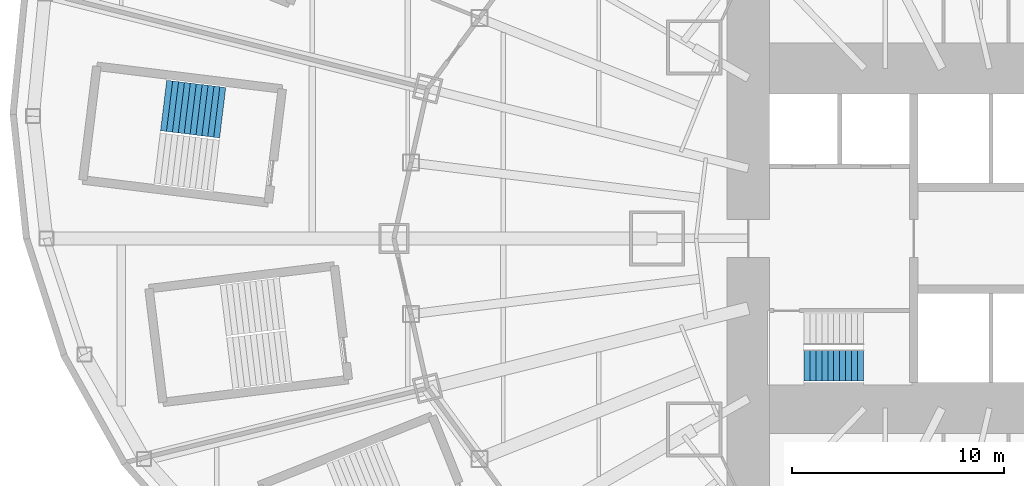
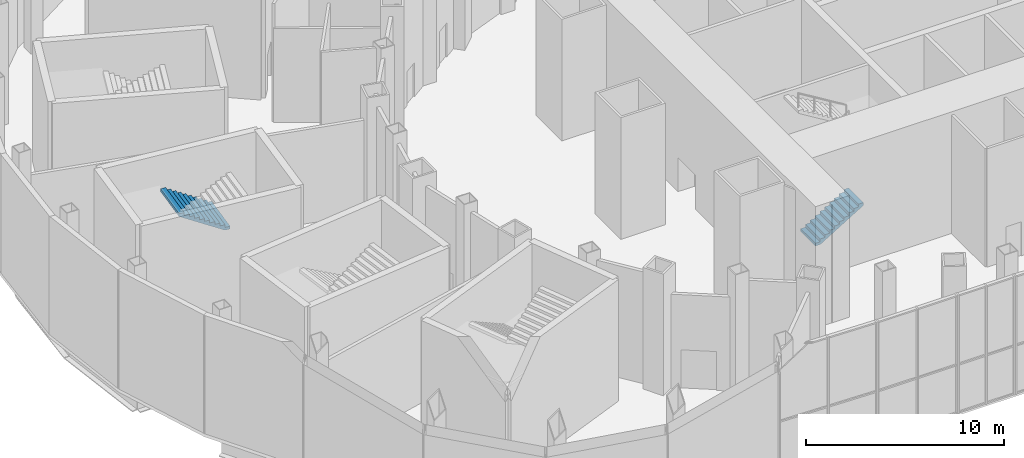
# One storey, part 29 of 73: 2 stair flights, 2 elements without a shape of their own.
"""IFC4 building model written with IfcOpenShell, lengths in metres."""

from ifc_helpers import new_model, si_unit, direction, frame, origin, place, context, subcontext, project, spatial, triangles, material, type_object, element, aggregate, save


model = new_model("IFC4")

# Units and contexts
model_context = context("Model", 3, precision=1e-05, world=origin(), true_north=direction((0.0, 1.0)))
body_context = subcontext(model_context, "Body", "Model", "MODEL_VIEW")
ifc_project = project(units=[si_unit("LENGTHUNIT", "METRE"), si_unit("AREAUNIT", "SQUARE_METRE"), si_unit("VOLUMEUNIT", "CUBIC_METRE"), si_unit("PLANEANGLEUNIT", "RADIAN"), si_unit("MASSUNIT", "GRAM", prefix="KILO")], contexts=[model_context])

# Site, building, storey
site_placement = place(None, origin())
site = spatial("IfcSite", under=ifc_project, at=site_placement, CompositionType="ELEMENT")
building_placement = place(site_placement, origin())
building = spatial("IfcBuilding", under=site, at=building_placement, Name="Lantaw Convention Tower", CompositionType="ELEMENT")
storey_placement = place(building_placement, frame((0.0, 0.0, 14.5)))
storey = spatial("IfcBuildingStorey", under=building, at=storey_placement, Name="L02", CompositionType="ELEMENT", Elevation=14.5)

# Stair, stair flight
ifc_material = material(Name="Concrete C35/45", Category="concrete")
stair_type_1 = type_object("IfcStairType", Name="Exit stair 1500 riser 170.45 in 4 flights", PredefinedType="HALF_TURN_STAIR", material=ifc_material)
stair_1_placement = place(storey_placement, origin())
stair_1 = element("IfcStair", 1, at=stair_1_placement, inside=storey, type_object=stair_type_1, Name="Exit stair S1 L02", PredefinedType="HALF_TURN_STAIR")
stair_flight_type_1 = type_object("IfcStairFlightType", Name="Stair flight 1500 riser 170.45", PredefinedType="STRAIGHT", material=ifc_material)
stair_flight_1_placement = place(storey_placement, frame((-10.580078125, -5.97998046875, 0.0), z_axis=(0.0, 0.0, 1.0), x_axis=(1.0, 0.0, 0.0)))
stair_flight_1 = element("IfcStairFlight", 2, at=stair_flight_1_placement, type_object=stair_flight_type_1, Name="S1 flight 1", NumberOfRisers=11, NumberOfTreads=10, PredefinedType="STRAIGHT", RiserHeight=0.170454545, TreadLength=0.28, context=body_context, shape_type="Tessellation", body=[
    triangles([(0.0, 0.75, 0.0), (0.0, 0.75, 0.170454545), (0.28, 0.75, 0.0), (0.28, 0.75, 0.170454545), (0.28, 0.75, 0.34090909), (0.28827876332691904, 0.75, 0.0), (0.28827876332691904, 0.75, 0.34090909), (0.56, 0.75, 0.16541471344266906), (0.56, 0.75, 0.34090909), (0.56, 0.75, 0.511363635), (0.8400000000000001, 0.75, 0.335869258442669), (0.8400000000000001, 0.75, 0.511363635), (0.8400000000000001, 0.75, 0.68181818), (1.12, 0.75, 0.506323803442669), (1.12, 0.75, 0.68181818), (1.12, 0.75, 0.8522727250000001), (1.4000000000000001, 0.75, 0.676778348442669), (1.4000000000000001, 0.75, 0.8522727250000001), (1.4000000000000001, 0.75, 1.02272727), (1.6800000000000002, 0.75, 0.847232893442669), (1.6800000000000002, 0.75, 1.02272727), (1.6800000000000002, 0.75, 1.193181815), (1.9600000000000002, 0.75, 1.017687438442669), (1.9600000000000002, 0.75, 1.193181815), (1.9600000000000002, 0.75, 1.36363636), (2.24, 0.75, 1.188141983442669), (2.24, 0.75, 1.36363636), (2.24, 0.75, 1.5340909050000002), (2.5200000000000005, 0.75, 1.358596528442669), (2.5200000000000005, 0.75, 1.5340909050000002), (2.5200000000000005, 0.75, 1.7045454500000001), (2.8000000000000003, 0.75, 1.529051073442669), (2.8000000000000003, 0.75, 1.7045454500000001), (0.0, -0.75, 0.0), (0.0, -0.75, 0.170454545), (0.28, -0.75, 0.0), (0.28, -0.75, 0.170454545), (0.28, -0.75, 0.34090909), (0.28827876332691904, -0.75, 0.0), (0.28827876332691904, -0.75, 0.34090909), (0.56, -0.75, 0.16541471344266906), (0.56, -0.75, 0.34090909), (0.56, -0.75, 0.511363635), (0.8400000000000001, -0.75, 0.335869258442669), (0.8400000000000001, -0.75, 0.511363635), (0.8400000000000001, -0.75, 0.68181818), (1.12, -0.75, 0.506323803442669), (1.12, -0.75, 0.68181818), (1.12, -0.75, 0.8522727250000001), (1.4000000000000001, -0.75, 0.676778348442669), (1.4000000000000001, -0.75, 0.8522727250000001), (1.4000000000000001, -0.75, 1.02272727), (1.6800000000000002, -0.75, 0.847232893442669), (1.6800000000000002, -0.75, 1.02272727), (1.6800000000000002, -0.75, 1.193181815), (1.9600000000000002, -0.75, 1.017687438442669), (1.9600000000000002, -0.75, 1.193181815), (1.9600000000000002, -0.75, 1.36363636), (2.24, -0.75, 1.188141983442669), (2.24, -0.75, 1.36363636), (2.24, -0.75, 1.5340909050000002), (2.5200000000000005, -0.75, 1.358596528442669), (2.5200000000000005, -0.75, 1.5340909050000002), (2.5200000000000005, -0.75, 1.7045454500000001), (2.8000000000000003, -0.75, 1.529051073442669), (2.8000000000000003, -0.75, 1.7045454500000001), (0.0, 0.15000000000000002, 0.170454545), (0.0, 0.15000000000000002, 0.0), (0.0, 0.0, 0.170454545), (0.0, 0.0, 0.0), (0.0, -0.15000000000000002, 0.170454545), (0.0, -0.15000000000000002, 0.0), (0.28, 0.15000000000000002, 0.34090909), (0.28, 0.15000000000000002, 0.170454545), (0.28, 0.0, 0.34090909), (0.28, 0.0, 0.170454545), (0.28, -0.15000000000000002, 0.34090909), (0.28, -0.15000000000000002, 0.170454545), (0.56, 0.15000000000000002, 0.511363635), (0.56, 0.15000000000000002, 0.34090909), (0.56, 0.0, 0.511363635), (0.56, 0.0, 0.34090909), (0.56, -0.15000000000000002, 0.511363635), (0.56, -0.15000000000000002, 0.34090909), (0.8400000000000001, 0.15000000000000002, 0.68181818), (0.8400000000000001, 0.15000000000000002, 0.511363635), (0.8400000000000001, 0.0, 0.68181818), (0.8400000000000001, 0.0, 0.511363635), (0.8400000000000001, -0.15000000000000002, 0.68181818), (0.8400000000000001, -0.15000000000000002, 0.511363635), (1.12, 0.15000000000000002, 0.8522727250000001), (1.12, 0.15000000000000002, 0.68181818), (1.12, 0.0, 0.8522727250000001), (1.12, 0.0, 0.68181818), (1.12, -0.15000000000000002, 0.8522727250000001), (1.12, -0.15000000000000002, 0.68181818), (1.4000000000000001, 0.15000000000000002, 1.02272727), (1.4000000000000001, 0.15000000000000002, 0.8522727250000001), (1.4000000000000001, 0.0, 1.02272727), (1.4000000000000001, 0.0, 0.8522727250000001), (1.4000000000000001, -0.15000000000000002, 1.02272727), (1.4000000000000001, -0.15000000000000002, 0.8522727250000001), (1.6800000000000002, 0.15000000000000002, 1.193181815), (1.6800000000000002, 0.15000000000000002, 1.02272727), (1.6800000000000002, 0.0, 1.193181815), (1.6800000000000002, 0.0, 1.02272727), (1.6800000000000002, -0.15000000000000002, 1.193181815), (1.6800000000000002, -0.15000000000000002, 1.02272727), (1.9600000000000002, 0.15000000000000002, 1.36363636), (1.9600000000000002, 0.15000000000000002, 1.193181815), (1.9600000000000002, 0.0, 1.36363636), (1.9600000000000002, 0.0, 1.193181815), (1.9600000000000002, -0.15000000000000002, 1.36363636), (1.9600000000000002, -0.15000000000000002, 1.193181815), (2.24, 0.15000000000000002, 1.5340909050000002), (2.24, 0.15000000000000002, 1.36363636), (2.24, 0.0, 1.5340909050000002), (2.24, 0.0, 1.36363636), (2.24, -0.15000000000000002, 1.5340909050000002), (2.24, -0.15000000000000002, 1.36363636), (2.5200000000000005, 0.15000000000000002, 1.7045454500000001), (2.5200000000000005, 0.15000000000000002, 1.5340909050000002), (2.5200000000000005, 0.0, 1.7045454500000001), (2.5200000000000005, 0.0, 1.5340909050000002), (2.5200000000000005, -0.15000000000000002, 1.7045454500000001), (2.5200000000000005, -0.15000000000000002, 1.5340909050000002), (0.28827876332691904, 0.15000000000000002, 0.34090909), (0.28827876332691904, 0.0, 0.34090909), (0.28827876332691904, -0.15000000000000002, 0.34090909), (2.8000000000000003, 0.15000000000000002, 1.7045454500000001), (2.8000000000000003, 0.0, 1.7045454500000001), (2.8000000000000003, -0.15000000000000002, 1.7045454500000001), (2.8000000000000003, 0.15000000000000002, 1.5290510734426692), (2.8000000000000003, 0.0, 1.5290510734426692), (2.8000000000000003, -0.15000000000000002, 1.5290510734426692), (2.5200000000000005, 0.15000000000000002, 1.358596528442669), (2.5200000000000005, 0.0, 1.358596528442669), (2.5200000000000005, -0.15000000000000002, 1.358596528442669), (2.24, 0.15000000000000002, 1.188141983442669), (2.24, 0.0, 1.188141983442669), (2.24, -0.15000000000000002, 1.188141983442669), (1.9600000000000002, 0.15000000000000002, 1.017687438442669), (1.9600000000000002, 0.0, 1.017687438442669), (1.9600000000000002, -0.15000000000000002, 1.017687438442669), (1.6800000000000002, 0.15000000000000002, 0.847232893442669), (1.6800000000000002, 0.0, 0.847232893442669), (1.6800000000000002, -0.15000000000000002, 0.847232893442669), (1.4000000000000001, 0.15000000000000002, 0.676778348442669), (1.4000000000000001, 0.0, 0.676778348442669), (1.4000000000000001, -0.15000000000000002, 0.676778348442669), (1.12, 0.15000000000000002, 0.506323803442669), (1.12, 0.0, 0.506323803442669), (1.12, -0.15000000000000002, 0.506323803442669), (0.8400000000000001, 0.15000000000000002, 0.335869258442669), (0.8400000000000001, 0.0, 0.335869258442669), (0.8400000000000001, -0.15000000000000002, 0.335869258442669), (0.56, 0.15000000000000002, 0.16541471344266906), (0.56, 0.0, 0.16541471344266906), (0.56, -0.15000000000000002, 0.16541471344266906), (0.28827876332691904, 0.15000000000000002, 0.0), (0.28827876332691904, 0.0, 0.0), (0.28827876332691904, -0.15000000000000002, 0.0), (0.28, 0.15000000000000002, 0.0), (0.28, 0.0, 0.0), (0.28, -0.15000000000000002, 0.0)], [[1, 4, 3], [1, 2, 4], [3, 4, 6], [4, 7, 6], [4, 5, 7], [6, 9, 8], [6, 7, 9], [8, 9, 11], [9, 12, 11], [9, 10, 12], [11, 12, 14], [12, 15, 14], [12, 13, 15], [14, 15, 17], [15, 18, 17], [15, 16, 18], [17, 18, 20], [18, 21, 20], [18, 19, 21], [20, 21, 23], [21, 24, 23], [21, 22, 24], [23, 24, 26], [24, 27, 26], [24, 25, 27], [26, 27, 29], [27, 30, 29], [27, 28, 30], [29, 30, 32], [30, 33, 32], [30, 31, 33], [34, 36, 37], [34, 37, 35], [36, 39, 37], [37, 39, 40], [37, 40, 38], [39, 41, 42], [39, 42, 40], [41, 44, 42], [42, 44, 45], [42, 45, 43], [44, 47, 45], [45, 47, 48], [45, 48, 46], [47, 50, 48], [48, 50, 51], [48, 51, 49], [50, 53, 51], [51, 53, 54], [51, 54, 52], [53, 56, 54], [54, 56, 57], [54, 57, 55], [56, 59, 57], [57, 59, 60], [57, 60, 58], [59, 62, 60], [60, 62, 63], [60, 63, 61], [62, 65, 63], [63, 65, 66], [63, 66, 64], [1, 67, 2], [1, 68, 67], [68, 69, 67], [68, 70, 69], [70, 71, 69], [70, 72, 71], [72, 35, 71], [72, 34, 35], [4, 73, 5], [4, 74, 73], [74, 75, 73], [74, 76, 75], [76, 77, 75], [76, 78, 77], [78, 38, 77], [78, 37, 38], [9, 79, 10], [9, 80, 79], [80, 81, 79], [80, 82, 81], [82, 83, 81], [82, 84, 83], [84, 43, 83], [84, 42, 43], [12, 85, 13], [12, 86, 85], [86, 87, 85], [86, 88, 87], [88, 89, 87], [88, 90, 89], [90, 46, 89], [90, 45, 46], [15, 91, 16], [15, 92, 91], [92, 93, 91], [92, 94, 93], [94, 95, 93], [94, 96, 95], [96, 49, 95], [96, 48, 49], [18, 97, 19], [18, 98, 97], [98, 99, 97], [98, 100, 99], [100, 101, 99], [100, 102, 101], [102, 52, 101], [102, 51, 52], [21, 103, 22], [21, 104, 103], [104, 105, 103], [104, 106, 105], [106, 107, 105], [106, 108, 107], [108, 55, 107], [108, 54, 55], [24, 109, 25], [24, 110, 109], [110, 111, 109], [110, 112, 111], [112, 113, 111], [112, 114, 113], [114, 58, 113], [114, 57, 58], [27, 115, 28], [27, 116, 115], [116, 117, 115], [116, 118, 117], [118, 119, 117], [118, 120, 119], [120, 61, 119], [120, 60, 61], [30, 121, 31], [30, 122, 121], [122, 123, 121], [122, 124, 123], [124, 125, 123], [124, 126, 125], [126, 64, 125], [126, 63, 64], [2, 74, 4], [2, 67, 74], [67, 76, 74], [67, 69, 76], [69, 78, 76], [69, 71, 78], [71, 37, 78], [71, 35, 37], [5, 127, 7], [5, 73, 127], [73, 128, 127], [73, 75, 128], [75, 129, 128], [75, 77, 129], [77, 40, 129], [77, 38, 40], [7, 80, 9], [7, 127, 80], [127, 82, 80], [127, 128, 82], [128, 84, 82], [128, 129, 84], [129, 42, 84], [129, 40, 42], [10, 86, 12], [10, 79, 86], [79, 88, 86], [79, 81, 88], [81, 90, 88], [81, 83, 90], [83, 45, 90], [83, 43, 45], [13, 92, 15], [13, 85, 92], [85, 94, 92], [85, 87, 94], [87, 96, 94], [87, 89, 96], [89, 48, 96], [89, 46, 48], [16, 98, 18], [16, 91, 98], [91, 100, 98], [91, 93, 100], [93, 102, 100], [93, 95, 102], [95, 51, 102], [95, 49, 51], [19, 104, 21], [19, 97, 104], [97, 106, 104], [97, 99, 106], [99, 108, 106], [99, 101, 108], [101, 54, 108], [101, 52, 54], [22, 110, 24], [22, 103, 110], [103, 112, 110], [103, 105, 112], [105, 114, 112], [105, 107, 114], [107, 57, 114], [107, 55, 57], [25, 116, 27], [25, 109, 116], [109, 118, 116], [109, 111, 118], [111, 120, 118], [111, 113, 120], [113, 60, 120], [113, 58, 60], [28, 122, 30], [28, 115, 122], [115, 124, 122], [115, 117, 124], [117, 126, 124], [117, 119, 126], [119, 63, 126], [119, 61, 63], [31, 130, 33], [31, 121, 130], [121, 131, 130], [121, 123, 131], [123, 132, 131], [123, 125, 132], [125, 66, 132], [125, 64, 66], [33, 133, 32], [33, 130, 133], [130, 134, 133], [130, 131, 134], [131, 135, 134], [131, 132, 135], [132, 65, 135], [132, 66, 65], [32, 136, 29], [32, 133, 136], [133, 137, 136], [133, 134, 137], [134, 138, 137], [134, 135, 138], [135, 62, 138], [135, 65, 62], [29, 139, 26], [29, 136, 139], [136, 140, 139], [136, 137, 140], [137, 141, 140], [137, 138, 141], [138, 59, 141], [138, 62, 59], [26, 142, 23], [26, 139, 142], [139, 143, 142], [139, 140, 143], [140, 144, 143], [140, 141, 144], [141, 56, 144], [141, 59, 56], [23, 145, 20], [23, 142, 145], [142, 146, 145], [142, 143, 146], [143, 147, 146], [143, 144, 147], [144, 53, 147], [144, 56, 53], [20, 148, 17], [20, 145, 148], [145, 149, 148], [145, 146, 149], [146, 150, 149], [146, 147, 150], [147, 50, 150], [147, 53, 50], [17, 151, 14], [17, 148, 151], [148, 152, 151], [148, 149, 152], [149, 153, 152], [149, 150, 153], [150, 47, 153], [150, 50, 47], [14, 154, 11], [14, 151, 154], [151, 155, 154], [151, 152, 155], [152, 156, 155], [152, 153, 156], [153, 44, 156], [153, 47, 44], [11, 157, 8], [11, 154, 157], [154, 158, 157], [154, 155, 158], [155, 159, 158], [155, 156, 159], [156, 41, 159], [156, 44, 41], [8, 160, 6], [8, 157, 160], [157, 161, 160], [157, 158, 161], [158, 162, 161], [158, 159, 162], [159, 39, 162], [159, 41, 39], [6, 163, 3], [6, 160, 163], [160, 164, 163], [160, 161, 164], [161, 165, 164], [161, 162, 165], [162, 36, 165], [162, 39, 36], [3, 68, 1], [3, 163, 68], [163, 70, 68], [163, 164, 70], [164, 72, 70], [164, 165, 72], [165, 34, 72], [165, 36, 34]], closed=True),
])
aggregate(stair_1, [stair_flight_1])

stair_type_2 = type_object("IfcStairType", Name="Exit stair 2400 riser 170.45 in 4 flights", PredefinedType="HALF_TURN_STAIR", material=ifc_material)
stair_2_placement = place(storey_placement, origin())
stair_2 = element("IfcStair", 3, at=stair_2_placement, inside=storey, type_object=stair_type_2, Name="Podium exit stair P9 L02", PredefinedType="HALF_TURN_STAIR")
stair_flight_type_2 = type_object("IfcStairFlightType", Name="Stair flight 2400 riser 170.45", PredefinedType="STRAIGHT", material=ifc_material)
stair_flight_2_placement = place(storey_placement, frame((-37.9716796875, 5.921630859375, 3.75), z_axis=(0.0, 0.0, 1.0), x_axis=(-0.992546151641, 0.121869343405, 0.0)))
stair_flight_2 = element("IfcStairFlight", 4, at=stair_flight_2_placement, type_object=stair_flight_type_2, Name="P9 flight 3", NumberOfRisers=11, NumberOfTreads=10, PredefinedType="STRAIGHT", RiserHeight=0.170454545, TreadLength=0.28, context=body_context, shape_type="Tessellation", body=[
    triangles([(0.0, 1.199951171875, 0.0), (0.0, 1.199951171875, 0.170454545), (0.28, 1.199951171875, 0.0), (0.28, 1.199951171875, 0.170454545), (0.28, 1.199951171875, 0.34090909), (0.28827876332691904, 1.199951171875, 0.0), (0.28827876332691904, 1.199951171875, 0.34090909), (0.56, 1.199951171875, 0.16541471344266906), (0.56, 1.199951171875, 0.34090909), (0.56, 1.199951171875, 0.511363635), (0.8400000000000001, 1.199951171875, 0.335869258442669), (0.8400000000000001, 1.199951171875, 0.511363635), (0.8400000000000001, 1.199951171875, 0.68181818), (1.12, 1.199951171875, 0.506323803442669), (1.12, 1.199951171875, 0.68181818), (1.12, 1.199951171875, 0.8522727250000001), (1.4000000000000001, 1.199951171875, 0.676778348442669), (1.4000000000000001, 1.199951171875, 0.8522727250000001), (1.4000000000000001, 1.199951171875, 1.02272727), (1.6800000000000002, 1.199951171875, 0.847232893442669), (1.6800000000000002, 1.199951171875, 1.02272727), (1.6800000000000002, 1.199951171875, 1.193181815), (1.9600000000000002, 1.199951171875, 1.017687438442669), (1.9600000000000002, 1.199951171875, 1.193181815), (1.9600000000000002, 1.199951171875, 1.36363636), (2.24, 1.199951171875, 1.188141983442669), (2.24, 1.199951171875, 1.36363636), (2.24, 1.199951171875, 1.5340909050000002), (2.5200000000000005, 1.199951171875, 1.358596528442669), (2.5200000000000005, 1.199951171875, 1.5340909050000002), (2.5200000000000005, 1.199951171875, 1.7045454500000001), (2.8000000000000003, 1.199951171875, 1.529051073442669), (2.8000000000000003, 1.199951171875, 1.7045454500000001), (0.0, -1.199951171875, 0.0), (0.0, -1.199951171875, 0.170454545), (0.28, -1.199951171875, 0.0), (0.28, -1.199951171875, 0.170454545), (0.28, -1.199951171875, 0.34090909), (0.28827876332691904, -1.199951171875, 0.0), (0.28827876332691904, -1.199951171875, 0.34090909), (0.56, -1.199951171875, 0.16541471344266906), (0.56, -1.199951171875, 0.34090909), (0.56, -1.199951171875, 0.511363635), (0.8400000000000001, -1.199951171875, 0.335869258442669), (0.8400000000000001, -1.199951171875, 0.511363635), (0.8400000000000001, -1.199951171875, 0.68181818), (1.12, -1.199951171875, 0.506323803442669), (1.12, -1.199951171875, 0.68181818), (1.12, -1.199951171875, 0.8522727250000001), (1.4000000000000001, -1.199951171875, 0.676778348442669), (1.4000000000000001, -1.199951171875, 0.8522727250000001), (1.4000000000000001, -1.199951171875, 1.02272727), (1.6800000000000002, -1.199951171875, 0.847232893442669), (1.6800000000000002, -1.199951171875, 1.02272727), (1.6800000000000002, -1.199951171875, 1.193181815), (1.9600000000000002, -1.199951171875, 1.017687438442669), (1.9600000000000002, -1.199951171875, 1.193181815), (1.9600000000000002, -1.199951171875, 1.36363636), (2.24, -1.199951171875, 1.188141983442669), (2.24, -1.199951171875, 1.36363636), (2.24, -1.199951171875, 1.5340909050000002), (2.5200000000000005, -1.199951171875, 1.358596528442669), (2.5200000000000005, -1.199951171875, 1.5340909050000002), (2.5200000000000005, -1.199951171875, 1.7045454500000001), (2.8000000000000003, -1.199951171875, 1.529051073442669), (2.8000000000000003, -1.199951171875, 1.7045454500000001), (0.0, 0.239990234375, 0.170454545), (0.0, 0.239990234375, 0.0), (0.0, 0.1199951171875, 0.170454545), (0.0, 0.1199951171875, 0.0), (0.0, 0.0, 0.170454545), (0.0, 0.0, 0.0), (0.0, -0.1199951171875, 0.170454545), (0.0, -0.1199951171875, 0.0), (0.0, -0.239990234375, 0.170454545), (0.0, -0.239990234375, 0.0), (0.28, 0.239990234375, 0.34090909), (0.28, 0.239990234375, 0.170454545), (0.28, 0.1199951171875, 0.34090909), (0.28, 0.1199951171875, 0.170454545), (0.28, 0.0, 0.34090909), (0.28, 0.0, 0.170454545), (0.28, -0.1199951171875, 0.34090909), (0.28, -0.1199951171875, 0.170454545), (0.28, -0.239990234375, 0.34090909), (0.28, -0.239990234375, 0.170454545), (0.56, 0.239990234375, 0.511363635), (0.56, 0.239990234375, 0.34090909), (0.56, 0.1199951171875, 0.511363635), (0.56, 0.1199951171875, 0.34090909), (0.56, 0.0, 0.511363635), (0.56, 0.0, 0.34090909), (0.56, -0.1199951171875, 0.511363635), (0.56, -0.1199951171875, 0.34090909), (0.56, -0.239990234375, 0.511363635), (0.56, -0.239990234375, 0.34090909), (0.8400000000000001, 0.239990234375, 0.68181818), (0.8400000000000001, 0.239990234375, 0.511363635), (0.8400000000000001, 0.1199951171875, 0.68181818), (0.8400000000000001, 0.1199951171875, 0.511363635), (0.8400000000000001, 0.0, 0.68181818), (0.8400000000000001, 0.0, 0.511363635), (0.8400000000000001, -0.1199951171875, 0.68181818), (0.8400000000000001, -0.1199951171875, 0.511363635), (0.8400000000000001, -0.239990234375, 0.68181818), (0.8400000000000001, -0.239990234375, 0.511363635), (1.12, 0.239990234375, 0.8522727250000001), (1.12, 0.239990234375, 0.68181818), (1.12, 0.1199951171875, 0.8522727250000001), (1.12, 0.1199951171875, 0.68181818), (1.12, 0.0, 0.8522727250000001), (1.12, 0.0, 0.68181818), (1.12, -0.1199951171875, 0.8522727250000001), (1.12, -0.1199951171875, 0.68181818), (1.12, -0.239990234375, 0.8522727250000001), (1.12, -0.239990234375, 0.68181818), (1.4000000000000001, 0.239990234375, 1.02272727), (1.4000000000000001, 0.239990234375, 0.8522727250000001), (1.4000000000000001, 0.1199951171875, 1.02272727), (1.4000000000000001, 0.1199951171875, 0.8522727250000001), (1.4000000000000001, 0.0, 1.02272727), (1.4000000000000001, 0.0, 0.8522727250000001), (1.4000000000000001, -0.1199951171875, 1.02272727), (1.4000000000000001, -0.1199951171875, 0.8522727250000001), (1.4000000000000001, -0.239990234375, 1.02272727), (1.4000000000000001, -0.239990234375, 0.8522727250000001), (1.6800000000000002, 0.239990234375, 1.193181815), (1.6800000000000002, 0.239990234375, 1.02272727), (1.6800000000000002, 0.1199951171875, 1.193181815), (1.6800000000000002, 0.1199951171875, 1.02272727), (1.6800000000000002, 0.0, 1.193181815), (1.6800000000000002, 0.0, 1.02272727), (1.6800000000000002, -0.1199951171875, 1.193181815), (1.6800000000000002, -0.1199951171875, 1.02272727), (1.6800000000000002, -0.239990234375, 1.193181815), (1.6800000000000002, -0.239990234375, 1.02272727), (1.9600000000000002, 0.239990234375, 1.36363636), (1.9600000000000002, 0.239990234375, 1.193181815), (1.9600000000000002, 0.1199951171875, 1.36363636), (1.9600000000000002, 0.1199951171875, 1.193181815), (1.9600000000000002, 0.0, 1.36363636), (1.9600000000000002, 0.0, 1.193181815), (1.9600000000000002, -0.1199951171875, 1.36363636), (1.9600000000000002, -0.1199951171875, 1.193181815), (1.9600000000000002, -0.239990234375, 1.36363636), (1.9600000000000002, -0.239990234375, 1.193181815), (2.24, 0.239990234375, 1.5340909050000002), (2.24, 0.239990234375, 1.36363636), (2.24, 0.1199951171875, 1.5340909050000002), (2.24, 0.1199951171875, 1.36363636), (2.24, 0.0, 1.5340909050000002), (2.24, 0.0, 1.36363636), (2.24, -0.1199951171875, 1.5340909050000002), (2.24, -0.1199951171875, 1.36363636), (2.24, -0.239990234375, 1.5340909050000002), (2.24, -0.239990234375, 1.36363636), (2.5200000000000005, 0.239990234375, 1.7045454500000001), (2.5200000000000005, 0.239990234375, 1.5340909050000002), (2.5200000000000005, 0.1199951171875, 1.7045454500000001), (2.5200000000000005, 0.1199951171875, 1.5340909050000002), (2.5200000000000005, 0.0, 1.7045454500000001), (2.5200000000000005, 0.0, 1.5340909050000002), (2.5200000000000005, -0.1199951171875, 1.7045454500000001), (2.5200000000000005, -0.1199951171875, 1.5340909050000002), (2.5200000000000005, -0.239990234375, 1.7045454500000001), (2.5200000000000005, -0.239990234375, 1.5340909050000002), (0.28827876332691904, 0.239990234375, 0.34090909), (0.28827876332691904, 0.1199951171875, 0.34090909), (0.28827876332691904, 0.0, 0.34090909), (0.28827876332691904, -0.1199951171875, 0.34090909), (0.28827876332691904, -0.239990234375, 0.34090909), (2.8000000000000003, 0.239990234375, 1.7045454500000001), (2.8000000000000003, 0.1199951171875, 1.7045454500000001), (2.8000000000000003, 0.0, 1.7045454500000001), (2.8000000000000003, -0.1199951171875, 1.7045454500000001), (2.8000000000000003, -0.239990234375, 1.7045454500000001), (2.8000000000000003, 0.239990234375, 1.5290510734426692), (2.8000000000000003, 0.1199951171875, 1.5290510734426692), (2.8000000000000003, 0.0, 1.5290510734426692), (2.8000000000000003, -0.1199951171875, 1.5290510734426692), (2.8000000000000003, -0.239990234375, 1.5290510734426692), (2.5200000000000005, 0.239990234375, 1.358596528442669), (2.5200000000000005, 0.1199951171875, 1.358596528442669), (2.5200000000000005, 0.0, 1.358596528442669), (2.5200000000000005, -0.1199951171875, 1.358596528442669), (2.5200000000000005, -0.239990234375, 1.358596528442669), (2.24, 0.239990234375, 1.188141983442669), (2.24, 0.1199951171875, 1.188141983442669), (2.24, 0.0, 1.188141983442669), (2.24, -0.1199951171875, 1.188141983442669), (2.24, -0.239990234375, 1.188141983442669), (1.9600000000000002, 0.239990234375, 1.017687438442669), (1.9600000000000002, 0.1199951171875, 1.017687438442669), (1.9600000000000002, 0.0, 1.017687438442669), (1.9600000000000002, -0.1199951171875, 1.017687438442669), (1.9600000000000002, -0.239990234375, 1.017687438442669), (1.6800000000000002, 0.239990234375, 0.847232893442669), (1.6800000000000002, 0.1199951171875, 0.847232893442669), (1.6800000000000002, 0.0, 0.847232893442669), (1.6800000000000002, -0.1199951171875, 0.847232893442669), (1.6800000000000002, -0.239990234375, 0.847232893442669), (1.4000000000000001, 0.239990234375, 0.676778348442669), (1.4000000000000001, 0.1199951171875, 0.676778348442669), (1.4000000000000001, 0.0, 0.676778348442669), (1.4000000000000001, -0.1199951171875, 0.676778348442669), (1.4000000000000001, -0.239990234375, 0.676778348442669), (1.12, 0.239990234375, 0.506323803442669), (1.12, 0.1199951171875, 0.506323803442669), (1.12, 0.0, 0.506323803442669), (1.12, -0.1199951171875, 0.506323803442669), (1.12, -0.239990234375, 0.506323803442669), (0.8400000000000001, 0.239990234375, 0.335869258442669), (0.8400000000000001, 0.1199951171875, 0.335869258442669), (0.8400000000000001, 0.0, 0.335869258442669), (0.8400000000000001, -0.1199951171875, 0.335869258442669), (0.8400000000000001, -0.239990234375, 0.335869258442669), (0.56, 0.239990234375, 0.16541471344266906), (0.56, 0.1199951171875, 0.16541471344266906), (0.56, 0.0, 0.16541471344266906), (0.56, -0.1199951171875, 0.16541471344266906), (0.56, -0.239990234375, 0.16541471344266906), (0.28827876332691904, 0.239990234375, 0.0), (0.28827876332691904, 0.1199951171875, 0.0), (0.28827876332691904, 0.0, 0.0), (0.28827876332691904, -0.1199951171875, 0.0), (0.28827876332691904, -0.239990234375, 0.0), (0.28, 0.239990234375, 0.0), (0.28, 0.1199951171875, 0.0), (0.28, 0.0, 0.0), (0.28, -0.1199951171875, 0.0), (0.28, -0.239990234375, 0.0)], [[1, 4, 3], [1, 2, 4], [3, 4, 6], [4, 7, 6], [4, 5, 7], [6, 9, 8], [6, 7, 9], [8, 9, 11], [9, 12, 11], [9, 10, 12], [11, 12, 14], [12, 15, 14], [12, 13, 15], [14, 15, 17], [15, 18, 17], [15, 16, 18], [17, 18, 20], [18, 21, 20], [18, 19, 21], [20, 21, 23], [21, 24, 23], [21, 22, 24], [23, 24, 26], [24, 27, 26], [24, 25, 27], [26, 27, 29], [27, 30, 29], [27, 28, 30], [29, 30, 32], [30, 33, 32], [30, 31, 33], [34, 36, 37], [34, 37, 35], [36, 39, 37], [37, 39, 40], [37, 40, 38], [39, 41, 42], [39, 42, 40], [41, 44, 42], [42, 44, 45], [42, 45, 43], [44, 47, 45], [45, 47, 48], [45, 48, 46], [47, 50, 48], [48, 50, 51], [48, 51, 49], [50, 53, 51], [51, 53, 54], [51, 54, 52], [53, 56, 54], [54, 56, 57], [54, 57, 55], [56, 59, 57], [57, 59, 60], [57, 60, 58], [59, 62, 60], [60, 62, 63], [60, 63, 61], [62, 65, 63], [63, 65, 66], [63, 66, 64], [1, 67, 2], [1, 68, 67], [68, 69, 67], [68, 70, 69], [70, 71, 69], [70, 72, 71], [72, 73, 71], [72, 74, 73], [74, 75, 73], [74, 76, 75], [76, 35, 75], [76, 34, 35], [4, 77, 5], [4, 78, 77], [78, 79, 77], [78, 80, 79], [80, 81, 79], [80, 82, 81], [82, 83, 81], [82, 84, 83], [84, 85, 83], [84, 86, 85], [86, 38, 85], [86, 37, 38], [9, 87, 10], [9, 88, 87], [88, 89, 87], [88, 90, 89], [90, 91, 89], [90, 92, 91], [92, 93, 91], [92, 94, 93], [94, 95, 93], [94, 96, 95], [96, 43, 95], [96, 42, 43], [12, 97, 13], [12, 98, 97], [98, 99, 97], [98, 100, 99], [100, 101, 99], [100, 102, 101], [102, 103, 101], [102, 104, 103], [104, 105, 103], [104, 106, 105], [106, 46, 105], [106, 45, 46], [15, 107, 16], [15, 108, 107], [108, 109, 107], [108, 110, 109], [110, 111, 109], [110, 112, 111], [112, 113, 111], [112, 114, 113], [114, 115, 113], [114, 116, 115], [116, 49, 115], [116, 48, 49], [18, 117, 19], [18, 118, 117], [118, 119, 117], [118, 120, 119], [120, 121, 119], [120, 122, 121], [122, 123, 121], [122, 124, 123], [124, 125, 123], [124, 126, 125], [126, 52, 125], [126, 51, 52], [21, 127, 22], [21, 128, 127], [128, 129, 127], [128, 130, 129], [130, 131, 129], [130, 132, 131], [132, 133, 131], [132, 134, 133], [134, 135, 133], [134, 136, 135], [136, 55, 135], [136, 54, 55], [24, 137, 25], [24, 138, 137], [138, 139, 137], [138, 140, 139], [140, 141, 139], [140, 142, 141], [142, 143, 141], [142, 144, 143], [144, 145, 143], [144, 146, 145], [146, 58, 145], [146, 57, 58], [27, 147, 28], [27, 148, 147], [148, 149, 147], [148, 150, 149], [150, 151, 149], [150, 152, 151], [152, 153, 151], [152, 154, 153], [154, 155, 153], [154, 156, 155], [156, 61, 155], [156, 60, 61], [30, 157, 31], [30, 158, 157], [158, 159, 157], [158, 160, 159], [160, 161, 159], [160, 162, 161], [162, 163, 161], [162, 164, 163], [164, 165, 163], [164, 166, 165], [166, 64, 165], [166, 63, 64], [2, 78, 4], [2, 67, 78], [67, 80, 78], [67, 69, 80], [69, 82, 80], [69, 71, 82], [71, 84, 82], [71, 73, 84], [73, 86, 84], [73, 75, 86], [75, 37, 86], [75, 35, 37], [5, 167, 7], [5, 77, 167], [77, 168, 167], [77, 79, 168], [79, 169, 168], [79, 81, 169], [81, 170, 169], [81, 83, 170], [83, 171, 170], [83, 85, 171], [85, 40, 171], [85, 38, 40], [7, 88, 9], [7, 167, 88], [167, 90, 88], [167, 168, 90], [168, 92, 90], [168, 169, 92], [169, 94, 92], [169, 170, 94], [170, 96, 94], [170, 171, 96], [171, 42, 96], [171, 40, 42], [10, 98, 12], [10, 87, 98], [87, 100, 98], [87, 89, 100], [89, 102, 100], [89, 91, 102], [91, 104, 102], [91, 93, 104], [93, 106, 104], [93, 95, 106], [95, 45, 106], [95, 43, 45], [13, 108, 15], [13, 97, 108], [97, 110, 108], [97, 99, 110], [99, 112, 110], [99, 101, 112], [101, 114, 112], [101, 103, 114], [103, 116, 114], [103, 105, 116], [105, 48, 116], [105, 46, 48], [16, 118, 18], [16, 107, 118], [107, 120, 118], [107, 109, 120], [109, 122, 120], [109, 111, 122], [111, 124, 122], [111, 113, 124], [113, 126, 124], [113, 115, 126], [115, 51, 126], [115, 49, 51], [19, 128, 21], [19, 117, 128], [117, 130, 128], [117, 119, 130], [119, 132, 130], [119, 121, 132], [121, 134, 132], [121, 123, 134], [123, 136, 134], [123, 125, 136], [125, 54, 136], [125, 52, 54], [22, 138, 24], [22, 127, 138], [127, 140, 138], [127, 129, 140], [129, 142, 140], [129, 131, 142], [131, 144, 142], [131, 133, 144], [133, 146, 144], [133, 135, 146], [135, 57, 146], [135, 55, 57], [25, 148, 27], [25, 137, 148], [137, 150, 148], [137, 139, 150], [139, 152, 150], [139, 141, 152], [141, 154, 152], [141, 143, 154], [143, 156, 154], [143, 145, 156], [145, 60, 156], [145, 58, 60], [28, 158, 30], [28, 147, 158], [147, 160, 158], [147, 149, 160], [149, 162, 160], [149, 151, 162], [151, 164, 162], [151, 153, 164], [153, 166, 164], [153, 155, 166], [155, 63, 166], [155, 61, 63], [31, 172, 33], [31, 157, 172], [157, 173, 172], [157, 159, 173], [159, 174, 173], [159, 161, 174], [161, 175, 174], [161, 163, 175], [163, 176, 175], [163, 165, 176], [165, 66, 176], [165, 64, 66], [33, 177, 32], [33, 172, 177], [172, 178, 177], [172, 173, 178], [173, 179, 178], [173, 174, 179], [174, 180, 179], [174, 175, 180], [175, 181, 180], [175, 176, 181], [176, 65, 181], [176, 66, 65], [32, 182, 29], [32, 177, 182], [177, 183, 182], [177, 178, 183], [178, 184, 183], [178, 179, 184], [179, 185, 184], [179, 180, 185], [180, 186, 185], [180, 181, 186], [181, 62, 186], [181, 65, 62], [29, 187, 26], [29, 182, 187], [182, 188, 187], [182, 183, 188], [183, 189, 188], [183, 184, 189], [184, 190, 189], [184, 185, 190], [185, 191, 190], [185, 186, 191], [186, 59, 191], [186, 62, 59], [26, 192, 23], [26, 187, 192], [187, 193, 192], [187, 188, 193], [188, 194, 193], [188, 189, 194], [189, 195, 194], [189, 190, 195], [190, 196, 195], [190, 191, 196], [191, 56, 196], [191, 59, 56], [23, 197, 20], [23, 192, 197], [192, 198, 197], [192, 193, 198], [193, 199, 198], [193, 194, 199], [194, 200, 199], [194, 195, 200], [195, 201, 200], [195, 196, 201], [196, 53, 201], [196, 56, 53], [20, 202, 17], [20, 197, 202], [197, 203, 202], [197, 198, 203], [198, 204, 203], [198, 199, 204], [199, 205, 204], [199, 200, 205], [200, 206, 205], [200, 201, 206], [201, 50, 206], [201, 53, 50], [17, 207, 14], [17, 202, 207], [202, 208, 207], [202, 203, 208], [203, 209, 208], [203, 204, 209], [204, 210, 209], [204, 205, 210], [205, 211, 210], [205, 206, 211], [206, 47, 211], [206, 50, 47], [14, 212, 11], [14, 207, 212], [207, 213, 212], [207, 208, 213], [208, 214, 213], [208, 209, 214], [209, 215, 214], [209, 210, 215], [210, 216, 215], [210, 211, 216], [211, 44, 216], [211, 47, 44], [11, 217, 8], [11, 212, 217], [212, 218, 217], [212, 213, 218], [213, 219, 218], [213, 214, 219], [214, 220, 219], [214, 215, 220], [215, 221, 220], [215, 216, 221], [216, 41, 221], [216, 44, 41], [8, 222, 6], [8, 217, 222], [217, 223, 222], [217, 218, 223], [218, 224, 223], [218, 219, 224], [219, 225, 224], [219, 220, 225], [220, 226, 225], [220, 221, 226], [221, 39, 226], [221, 41, 39], [6, 227, 3], [6, 222, 227], [222, 228, 227], [222, 223, 228], [223, 229, 228], [223, 224, 229], [224, 230, 229], [224, 225, 230], [225, 231, 230], [225, 226, 231], [226, 36, 231], [226, 39, 36], [3, 68, 1], [3, 227, 68], [227, 70, 68], [227, 228, 70], [228, 72, 70], [228, 229, 72], [229, 74, 72], [229, 230, 74], [230, 76, 74], [230, 231, 76], [231, 34, 76], [231, 36, 34]], closed=True),
])
aggregate(stair_2, [stair_flight_2])

save(model, "model.ifc")
